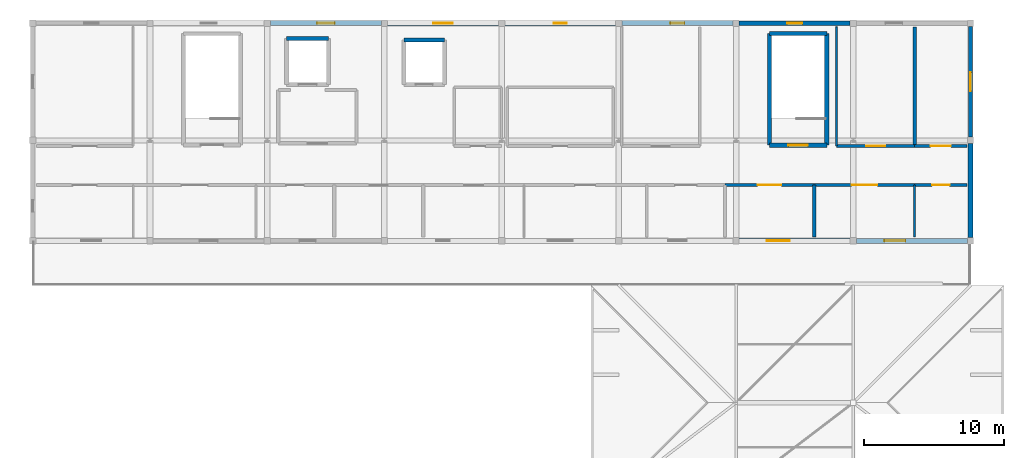
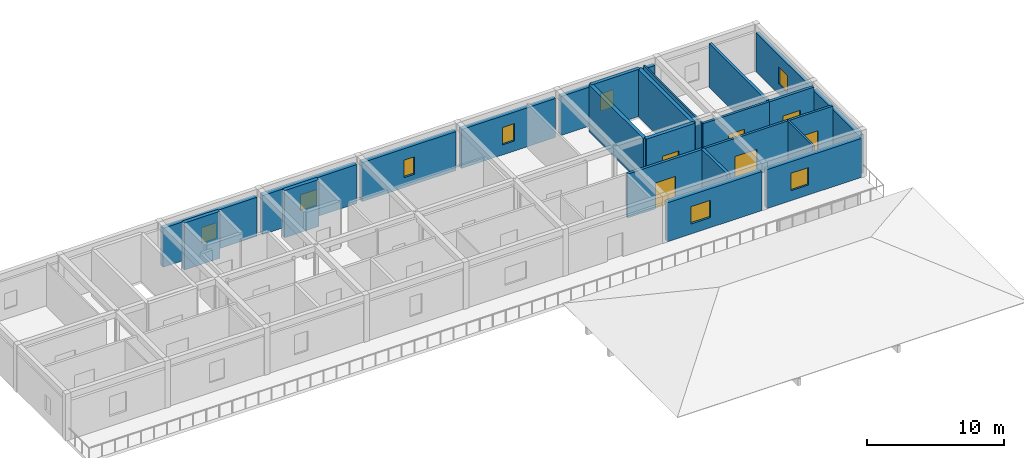
# One storey, part 19 of 22: 24 walls, 8 windows, 6 doors, 14 openings.
"""IFC4 building model written with IfcOpenShell, lengths in metres."""

from ifc_helpers import new_model, si_unit, direction, frame, frame_2d, origin, place, context, subcontext, project, spatial, rectangle, extrude, material, layer, layer_set, type_object, element, fill, save


model = new_model("IFC4")

# Units and contexts
model_context = context("Model", 3, precision=1e-05, world=origin(), true_north=direction((0.0, 1.0)))
body_context = subcontext(model_context, "Body", "Model", "MODEL_VIEW")
ifc_project = project(units=[si_unit("LENGTHUNIT", "METRE"), si_unit("AREAUNIT", "SQUARE_METRE"), si_unit("VOLUMEUNIT", "CUBIC_METRE"), si_unit("PLANEANGLEUNIT", "RADIAN"), si_unit("MASSUNIT", "GRAM", prefix="KILO")], contexts=[model_context])

# Site, building, storey
site_placement = place(None, origin())
site = spatial("IfcSite", under=ifc_project, at=site_placement, CompositionType="ELEMENT")
building_placement = place(site_placement, origin())
building = spatial("IfcBuilding", under=site, at=building_placement, Name="Varncliffe General Hospital", CompositionType="ELEMENT")
storey_placement = place(building_placement, frame((0.0, 0.0, 33.0)))
storey = spatial("IfcBuildingStorey", under=building, at=storey_placement, Name="L07", CompositionType="ELEMENT", Elevation=33.0)

# Wall, opening, window
ifc_material_1 = material(Name="Precast concrete C40/50 with insulated cream lime-cement stucco", Category="concrete")
ifc_layer_1 = layer(ifc_material_1, 0.3798828125)
ifc_layer_set_1 = layer_set([ifc_layer_1], Name="Precast concrete C40/50 with insulated cream lime-cement stucco")
wall_type_1 = type_object("IfcWallType", Name="Exterior Insulated Stucco Wall EW26 (380mm)", PredefinedType="SOLIDWALL", material=ifc_layer_set_1)
wall_1_placement = place(storey_placement, frame((143.02294921875, 124.800048828125, 0.0), z_axis=(0.0, 0.0, 1.0), x_axis=(1.0, 0.0, 0.0)))
wall_1 = element("IfcWall", 1, at=wall_1_placement, inside=storey, type_object=wall_type_1, Name="L07 Exterior Stucco Wall EW26-563", PredefinedType="SOLIDWALL", context=body_context, shape_type="SweptSolid", body=[
    extrude(rectangle(XDim=7.9541015625, YDim=0.3798828125, at=frame_2d((3.97705078125, 0.0))), origin(), (0.0, 0.0, 1.0), 3.47998046875),
])
opening_1_placement = place(wall_1_placement, frame((3.527099609375, 0.0, 0.89990234375)))
opening_1 = element("IfcOpeningElement", 2, at=opening_1_placement, cuts=wall_1, Name="Opening WN45", PredefinedType="OPENING", context=body_context, shape_type="SweptSolid", body=[
    extrude(rectangle(XDim=0.89990234375, YDim=1.550048828125, at=frame_2d((0.449951171875, 0.77490234375))), frame((0.0, 0.199951171875, 0.0), z_axis=(0.0, -1.0, 0.0), x_axis=(1.0, 0.0, 0.0)), (0.0, 0.0, 1.0), 0.39990234375),
])
ifc_material_2 = material(Name="Triple low-E argon insulated vision glazing", Category="glass")
window_type_1 = type_object("IfcWindowType", Name="Triple-Glazed Hospital Window WN45 (900x1550)", PartitioningType="SINGLE_PANEL", PredefinedType="WINDOW", material=ifc_material_2)
window_1_placement = place(opening_1_placement, origin())
window_1 = element("IfcWindow", 3, at=window_1_placement, inside=storey, type_object=window_type_1, Name="L07 Hospital Window WN45-447", OverallHeight=1.550048828125, OverallWidth=0.89990234375, PartitioningType="SINGLE_PANEL", PredefinedType="WINDOW", context=body_context, shape_type="SweptSolid", body=[
    extrude(rectangle(XDim=0.89990234375, YDim=1.550048828125, at=frame_2d((0.449951171875, 0.77490234375))), frame((0.0, 0.030029296875, 0.0), z_axis=(0.0, -1.0, 0.0), x_axis=(1.0, 0.0, 0.0)), (0.0, 0.0, 1.0), 0.06005859375),
])
fill(opening_1, window_1)

# Wall
wall_2_placement = place(storey_placement, frame((176.39990234375, 116.177001953125, 0.0), z_axis=(0.0, 0.0, 1.0), x_axis=(0.0, -1.0, 0.0)))
element("IfcWall", 4, at=wall_2_placement, inside=storey, type_object=wall_type_1, Name="L07 Exterior Stucco Wall EW26-568", PredefinedType="SOLIDWALL", context=body_context, shape_type="SweptSolid", body=[
    extrude(rectangle(XDim=6.75390625, YDim=0.3798828125, at=frame_2d((3.376953125, 0.0))), origin(), (0.0, 0.0, 1.0), 3.47998046875),
])

# Wall, opening, window
ifc_layer_2 = layer(ifc_material_1, 0.2900390625)
ifc_layer_set_2 = layer_set([ifc_layer_2], Name="Precast concrete C40/50 with insulated cream lime-cement stucco")
wall_type_2 = type_object("IfcWallType", Name="Exterior Insulated Stucco Wall EW31 (290mm)", PredefinedType="SOLIDWALL", material=ifc_layer_set_2)
wall_3_placement = place(storey_placement, frame((176.39990234375, 124.576904296875, 0.0), z_axis=(0.0, 0.0, 1.0), x_axis=(0.0, -1.0, 0.0)))
wall_3 = element("IfcWall", 5, at=wall_3_placement, inside=storey, type_object=wall_type_2, Name="L07 Exterior Stucco Wall EW31-567", PredefinedType="SOLIDWALL", context=body_context, shape_type="SweptSolid", body=[
    extrude(rectangle(XDim=7.953857421875, YDim=0.2900390625, at=frame_2d((3.97705078125, 0.0))), origin(), (0.0, 0.0, 1.0), 3.47998046875),
])
opening_2_placement = place(wall_3_placement, frame((3.302001953125, 0.0, 0.89990234375)))
opening_2 = element("IfcOpeningElement", 6, at=opening_2_placement, cuts=wall_3, Name="Opening WN24", PredefinedType="OPENING", context=body_context, shape_type="SweptSolid", body=[
    extrude(rectangle(XDim=1.35009765625, YDim=1.550048828125, at=frame_2d((0.675048828125, 0.77490234375))), frame((0.0, 0.155029296875, 0.0), z_axis=(0.0, -1.0, 0.0), x_axis=(1.0, 0.0, 0.0)), (0.0, 0.0, 1.0), 0.31005859375),
])
window_type_2 = type_object("IfcWindowType", Name="Triple-Glazed Hospital Window WN24 (1350x1550)", PartitioningType="SINGLE_PANEL", PredefinedType="WINDOW", material=ifc_material_2)
window_2_placement = place(opening_2_placement, origin())
window_2 = element("IfcWindow", 7, at=window_2_placement, inside=storey, type_object=window_type_2, Name="L07 Hospital Window WN24-451", OverallHeight=1.550048828125, OverallWidth=1.35009765625, PartitioningType="SINGLE_PANEL", PredefinedType="WINDOW", context=body_context, shape_type="SweptSolid", body=[
    extrude(rectangle(XDim=1.35009765625, YDim=1.550048828125, at=frame_2d((0.675048828125, 0.77490234375))), frame((0.0, 0.030029296875, 0.0), z_axis=(0.0, -1.0, 0.0), x_axis=(1.0, 0.0, 0.0)), (0.0, 0.0, 1.0), 0.06005859375),
])
fill(opening_2, window_2)

ifc_layer_3 = layer(ifc_material_1, 0.330078125)
ifc_layer_set_3 = layer_set([ifc_layer_3], Name="Precast concrete C40/50 with insulated cream lime-cement stucco")
wall_type_3 = type_object("IfcWallType", Name="Exterior Insulated Stucco Wall EW33 (330mm)", PredefinedType="SOLIDWALL", material=ifc_layer_set_3)
wall_4_placement = place(storey_placement, frame((159.822998046875, 124.800048828125, 0.0), z_axis=(0.0, 0.0, 1.0), x_axis=(1.0, 0.0, 0.0)))
wall_4 = element("IfcWall", 8, at=wall_4_placement, inside=storey, type_object=wall_type_3, Name="L07 Exterior Stucco Wall EW33-565", PredefinedType="SOLIDWALL", context=body_context, shape_type="SweptSolid", body=[
    extrude(rectangle(XDim=7.9541015625, YDim=0.330078125, at=frame_2d((3.97705078125, 0.0))), origin(), (0.0, 0.0, 1.0), 3.47998046875),
])
opening_3_placement = place(wall_4_placement, frame((3.427001953125, 0.0, 0.89990234375)))
opening_3 = element("IfcOpeningElement", 9, at=opening_3_placement, cuts=wall_4, Name="Opening WN69", PredefinedType="OPENING", context=body_context, shape_type="SweptSolid", body=[
    extrude(rectangle(XDim=1.10009765625, YDim=1.550048828125, at=frame_2d((0.550048828125, 0.77490234375))), frame((0.0, 0.175048828125, 0.0), z_axis=(0.0, -1.0, 0.0), x_axis=(1.0, 0.0, 0.0)), (0.0, 0.0, 1.0), 0.35009765625),
])
window_type_3 = type_object("IfcWindowType", Name="Triple-Glazed Hospital Window WN69 (1100x1550)", PartitioningType="SINGLE_PANEL", PredefinedType="WINDOW", material=ifc_material_2)
window_3_placement = place(opening_3_placement, origin())
window_3 = element("IfcWindow", 10, at=window_3_placement, inside=storey, type_object=window_type_3, Name="L07 Hospital Window WN69-449", OverallHeight=1.550048828125, OverallWidth=1.10009765625, PartitioningType="SINGLE_PANEL", PredefinedType="WINDOW", context=body_context, shape_type="SweptSolid", body=[
    extrude(rectangle(XDim=1.10009765625, YDim=1.550048828125, at=frame_2d((0.550048828125, 0.77490234375))), frame((0.0, 0.030029296875, 0.0), z_axis=(0.0, -1.0, 0.0), x_axis=(1.0, 0.0, 0.0)), (0.0, 0.0, 1.0), 0.06005859375),
])
fill(opening_3, window_3)

ifc_layer_4 = layer(ifc_material_1, 0.35009765625)
ifc_layer_set_4 = layer_set([ifc_layer_4], Name="Precast concrete C40/50 with insulated cream lime-cement stucco")
wall_type_4 = type_object("IfcWallType", Name="Exterior Insulated Stucco Wall EW37 (350mm)", PredefinedType="SOLIDWALL", material=ifc_layer_set_4)
wall_5_placement = place(storey_placement, frame((126.222900390625, 124.800048828125, 0.0), z_axis=(0.0, 0.0, 1.0), x_axis=(1.0, 0.0, 0.0)))
wall_5 = element("IfcWall", 11, at=wall_5_placement, inside=storey, type_object=wall_type_4, Name="L07 Exterior Stucco Wall EW37-561", PredefinedType="SOLIDWALL", context=body_context, shape_type="SweptSolid", body=[
    extrude(rectangle(XDim=7.9541015625, YDim=0.35009765625, at=frame_2d((3.97705078125, 0.0))), origin(), (0.0, 0.0, 1.0), 3.47998046875),
])
opening_4_placement = place(wall_5_placement, frame((3.35205078125, 0.0, 0.89990234375)))
opening_4 = element("IfcOpeningElement", 12, at=opening_4_placement, cuts=wall_5, Name="Opening WN43", PredefinedType="OPENING", context=body_context, shape_type="SweptSolid", body=[
    extrude(rectangle(XDim=1.25, YDim=1.39990234375, at=frame_2d((0.625, 0.699951171875))), frame((0.0, 0.18505859375, 0.0), z_axis=(0.0, -1.0, 0.0), x_axis=(1.0, 0.0, 0.0)), (0.0, 0.0, 1.0), 0.3701171875),
])
window_type_4 = type_object("IfcWindowType", Name="Triple-Glazed Hospital Window WN43 (1250x1400)", PartitioningType="SINGLE_PANEL", PredefinedType="WINDOW", material=ifc_material_2)
window_4_placement = place(opening_4_placement, origin())
window_4 = element("IfcWindow", 13, at=window_4_placement, inside=storey, type_object=window_type_4, Name="L07 Hospital Window WN43-445", OverallHeight=1.39990234375, OverallWidth=1.25, PartitioningType="SINGLE_PANEL", PredefinedType="WINDOW", context=body_context, shape_type="SweptSolid", body=[
    extrude(rectangle(XDim=1.25, YDim=1.39990234375, at=frame_2d((0.625, 0.699951171875))), frame((0.0, 0.030029296875, 0.0), z_axis=(0.0, -1.0, 0.0), x_axis=(1.0, 0.0, 0.0)), (0.0, 0.0, 1.0), 0.06005859375),
])
fill(opening_4, window_4)

wall_6_placement = place(storey_placement, frame((151.423095703125, 124.800048828125, 0.0), z_axis=(0.0, 0.0, 1.0), x_axis=(1.0, 0.0, 0.0)))
wall_6 = element("IfcWall", 14, at=wall_6_placement, inside=storey, type_object=wall_type_4, Name="L07 Exterior Stucco Wall EW37-564", PredefinedType="SOLIDWALL", context=body_context, shape_type="SweptSolid", body=[
    extrude(rectangle(XDim=7.953857421875, YDim=0.35009765625, at=frame_2d((3.97705078125, 0.0))), origin(), (0.0, 0.0, 1.0), 3.47998046875),
])
opening_5_placement = place(wall_6_placement, frame((3.47705078125, 0.0, 0.89990234375)))
opening_5 = element("IfcOpeningElement", 15, at=opening_5_placement, cuts=wall_6, Name="Opening WN21", PredefinedType="OPENING", context=body_context, shape_type="SweptSolid", body=[
    extrude(rectangle(XDim=1.0, YDim=1.550048828125, at=frame_2d((0.5, 0.77490234375))), frame((0.0, 0.18505859375, 0.0), z_axis=(0.0, -1.0, 0.0), x_axis=(1.0, 0.0, 0.0)), (0.0, 0.0, 1.0), 0.3701171875),
])
window_type_5 = type_object("IfcWindowType", Name="Triple-Glazed Hospital Window WN21 (1000x1550)", PartitioningType="SINGLE_PANEL", PredefinedType="WINDOW", material=ifc_material_2)
window_5_placement = place(opening_5_placement, origin())
window_5 = element("IfcWindow", 16, at=window_5_placement, inside=storey, type_object=window_type_5, Name="L07 Hospital Window WN21-448", OverallHeight=1.550048828125, OverallWidth=1.0, PartitioningType="SINGLE_PANEL", PredefinedType="WINDOW", context=body_context, shape_type="SweptSolid", body=[
    extrude(rectangle(XDim=1.0, YDim=1.550048828125, at=frame_2d((0.5, 0.77490234375))), frame((0.0, 0.030029296875, 0.0), z_axis=(0.0, -1.0, 0.0), x_axis=(1.0, 0.0, 0.0)), (0.0, 0.0, 1.0), 0.06005859375),
])
fill(opening_5, window_5)

wall_7_placement = place(storey_placement, frame((176.177001953125, 109.199951171875, 0.0), z_axis=(0.0, 0.0, 1.0), x_axis=(-1.0, 0.0, 0.0)))
wall_7 = element("IfcWall", 17, at=wall_7_placement, inside=storey, type_object=wall_type_4, Name="L07 Exterior Stucco Wall EW37-569", PredefinedType="SOLIDWALL", context=body_context, shape_type="SweptSolid", body=[
    extrude(rectangle(XDim=7.9541015625, YDim=0.35009765625, at=frame_2d((3.97705078125, 0.0))), origin(), (0.0, 0.0, 1.0), 3.47998046875),
])
opening_6_placement = place(wall_7_placement, frame((4.448974609375, 0.0, 0.89990234375)))
opening_6 = element("IfcOpeningElement", 18, at=opening_6_placement, cuts=wall_7, Name="Opening WN75", PredefinedType="OPENING", context=body_context, shape_type="SweptSolid", body=[
    extrude(rectangle(XDim=1.5, YDim=1.550048828125, at=frame_2d((0.75, 0.77490234375))), frame((0.0, 0.18505859375, 0.0), z_axis=(0.0, -1.0, 0.0), x_axis=(1.0, 0.0, 0.0)), (0.0, 0.0, 1.0), 0.3701171875),
])
window_type_6 = type_object("IfcWindowType", Name="Triple-Glazed Hospital Window WN75 (1500x1550)", PartitioningType="SINGLE_PANEL", PredefinedType="WINDOW", material=ifc_material_2)
window_6_placement = place(opening_6_placement, origin())
window_6 = element("IfcWindow", 19, at=window_6_placement, inside=storey, type_object=window_type_6, Name="L07 Hospital Window WN75-452", OverallHeight=1.550048828125, OverallWidth=1.5, PartitioningType="SINGLE_PANEL", PredefinedType="WINDOW", context=body_context, shape_type="SweptSolid", body=[
    extrude(rectangle(XDim=1.5, YDim=1.550048828125, at=frame_2d((0.75, 0.77490234375))), frame((0.0, 0.030029296875, 0.0), z_axis=(0.0, -1.0, 0.0), x_axis=(1.0, 0.0, 0.0)), (0.0, 0.0, 1.0), 0.06005859375),
])
fill(opening_6, window_6)

ifc_layer_5 = layer(ifc_material_1, 0.39990234375)
ifc_layer_set_5 = layer_set([ifc_layer_5], Name="Precast concrete C40/50 with insulated cream lime-cement stucco")
wall_type_5 = type_object("IfcWallType", Name="Exterior Insulated Stucco Wall EW47 (400mm)", PredefinedType="SOLIDWALL", material=ifc_layer_set_5)
wall_8_placement = place(storey_placement, frame((134.623046875, 124.800048828125, 0.0), z_axis=(0.0, 0.0, 1.0), x_axis=(1.0, 0.0, 0.0)))
wall_8 = element("IfcWall", 20, at=wall_8_placement, inside=storey, type_object=wall_type_5, Name="L07 Exterior Stucco Wall EW47-562", PredefinedType="SOLIDWALL", context=body_context, shape_type="SweptSolid", body=[
    extrude(rectangle(XDim=7.953857421875, YDim=0.39990234375, at=frame_2d((3.97705078125, 0.0))), origin(), (0.0, 0.0, 1.0), 3.47998046875),
])
opening_7_placement = place(wall_8_placement, frame((3.277099609375, 0.0, 0.89990234375)))
opening_7 = element("IfcOpeningElement", 21, at=opening_7_placement, cuts=wall_8, Name="Opening WN76", PredefinedType="OPENING", context=body_context, shape_type="SweptSolid", body=[
    extrude(rectangle(XDim=1.39990234375, YDim=1.39990234375, at=frame_2d((0.699951171875, 0.699951171875))), frame((0.0, 0.2099609375, 0.0), z_axis=(0.0, -1.0, 0.0), x_axis=(1.0, 0.0, 0.0)), (0.0, 0.0, 1.0), 0.419921875),
])
window_type_7 = type_object("IfcWindowType", Name="Triple-Glazed Hospital Window WN76 (1400x1400)", PartitioningType="SINGLE_PANEL", PredefinedType="WINDOW", material=ifc_material_2)
window_7_placement = place(opening_7_placement, origin())
window_7 = element("IfcWindow", 22, at=window_7_placement, inside=storey, type_object=window_type_7, Name="L07 Hospital Window WN76-446", OverallHeight=1.39990234375, OverallWidth=1.39990234375, PartitioningType="SINGLE_PANEL", PredefinedType="WINDOW", context=body_context, shape_type="SweptSolid", body=[
    extrude(rectangle(XDim=1.39990234375, YDim=1.39990234375, at=frame_2d((0.699951171875, 0.699951171875))), frame((0.0, 0.030029296875, 0.0), z_axis=(0.0, -1.0, 0.0), x_axis=(1.0, 0.0, 0.0)), (0.0, 0.0, 1.0), 0.06005859375),
])
fill(opening_7, window_7)

wall_9_placement = place(storey_placement, frame((167.777099609375, 109.199951171875, 0.0), z_axis=(0.0, 0.0, 1.0), x_axis=(-1.0, 0.0, 0.0)))
wall_9 = element("IfcWall", 23, at=wall_9_placement, inside=storey, type_object=wall_type_5, Name="L07 Exterior Stucco Wall EW47-570", PredefinedType="SOLIDWALL", context=body_context, shape_type="SweptSolid", body=[
    extrude(rectangle(XDim=7.9541015625, YDim=0.39990234375, at=frame_2d((3.97705078125, 0.0))), origin(), (0.0, 0.0, 1.0), 3.47998046875),
])
opening_8_placement = place(wall_9_placement, frame((4.3408203125, 0.0, 0.89990234375)))
opening_8 = element("IfcOpeningElement", 24, at=opening_8_placement, cuts=wall_9, Name="Opening WN20", PredefinedType="OPENING", context=body_context, shape_type="SweptSolid", body=[
    extrude(rectangle(XDim=1.64990234375, YDim=1.550048828125, at=frame_2d((0.824951171875, 0.77490234375))), frame((0.0, 0.2099609375, 0.0), z_axis=(0.0, -1.0, 0.0), x_axis=(1.0, 0.0, 0.0)), (0.0, 0.0, 1.0), 0.419921875),
])
window_type_8 = type_object("IfcWindowType", Name="Triple-Glazed Hospital Window WN20 (1650x1550)", PartitioningType="DOUBLE_PANEL_VERTICAL", PredefinedType="WINDOW", material=ifc_material_2)
window_8_placement = place(opening_8_placement, origin())
window_8 = element("IfcWindow", 25, at=window_8_placement, inside=storey, type_object=window_type_8, Name="L07 Hospital Window WN20-453", OverallHeight=1.550048828125, OverallWidth=1.64990234375, PartitioningType="DOUBLE_PANEL_VERTICAL", PredefinedType="WINDOW", context=body_context, shape_type="SweptSolid", body=[
    extrude(rectangle(XDim=1.64990234375, YDim=1.550048828125, at=frame_2d((0.824951171875, 0.77490234375))), frame((0.0, 0.030029296875, 0.0), z_axis=(0.0, -1.0, 0.0), x_axis=(1.0, 0.0, 0.0)), (0.0, 0.0, 1.0), 0.06005859375),
])
fill(opening_8, window_8)

# Walls
ifc_material_3 = material(Name="Acoustic clinical gypsum stud partition assembly", Category="gypsum")
ifc_layer_6 = layer(ifc_material_3, 0.1298828125)
ifc_layer_set_6 = layer_set([ifc_layer_6], Name="Acoustic clinical gypsum stud partition assembly")
wall_type_6 = type_object("IfcWallType", Name="Interior Partitioning IW11 (130mm)", PredefinedType="PARTITIONING", material=ifc_layer_set_6)
wall_10_placement = place(storey_placement, frame((166.800048828125, 116.0, 0.0), z_axis=(0.0, 0.0, 1.0), x_axis=(0.0, 1.0, 0.0)))
element("IfcWall", 26, at=wall_10_placement, inside=storey, type_object=wall_type_6, Name="L07 Interior Partition Wall IW11-2408", PredefinedType="PARTITIONING", context=body_context, shape_type="SweptSolid", body=[
    extrude(rectangle(XDim=8.5400390625, YDim=0.1298828125, at=frame_2d((4.27001953125, 0.0))), origin(), (0.0, 0.0, 1.0), 3.919921875),
])
ifc_layer_7 = layer(ifc_material_3, 0.14990234375)
ifc_layer_set_7 = layer_set([ifc_layer_7], Name="Acoustic clinical gypsum stud partition assembly")
wall_type_7 = type_object("IfcWallType", Name="Interior Partitioning IW35 (150mm)", PredefinedType="PARTITIONING", material=ifc_layer_set_7)
wall_11_placement = place(storey_placement, frame((172.39990234375, 109.4599609375, 0.0), z_axis=(0.0, 0.0, 1.0), x_axis=(0.0, 1.0, 0.0)))
element("IfcWall", 27, at=wall_11_placement, inside=storey, type_object=wall_type_7, Name="L07 Interior Partition Wall IW35-2409", PredefinedType="PARTITIONING", context=body_context, shape_type="SweptSolid", body=[
    extrude(rectangle(XDim=3.739990234375, YDim=0.14990234375, at=frame_2d((1.8701171875, 0.0))), origin(), (0.0, 0.0, 1.0), 3.919921875),
])
ifc_material_4 = material(Name="Fire-rated gypsum and mineral-wool partition assembly", Category="gypsum")
ifc_layer_8 = layer(ifc_material_4, 0.25)
ifc_layer_set_8 = layer_set([ifc_layer_8], Name="Fire-rated gypsum and mineral-wool partition assembly")
wall_type_8 = type_object("IfcWallType", Name="Interior Partitioning PW38 (250mm)", PredefinedType="PARTITIONING", material=ifc_layer_set_8)
wall_12_placement = place(storey_placement, frame((165.199951171875, 109.4599609375, 0.0), z_axis=(0.0, 0.0, 1.0), x_axis=(0.0, 1.0, 0.0)))
element("IfcWall", 28, at=wall_12_placement, inside=storey, type_object=wall_type_8, Name="L07 Interior Partition Wall PW38-2407", PredefinedType="PARTITIONING", context=body_context, shape_type="SweptSolid", body=[
    extrude(rectangle(XDim=3.739990234375, YDim=0.25, at=frame_2d((1.8701171875, 0.0))), origin(), (0.0, 0.0, 1.0), 3.919921875),
])

# Wall, opening, door
ifc_layer_9 = layer(ifc_material_4, 0.22998046875)
ifc_layer_set_9 = layer_set([ifc_layer_9], Name="Fire-rated gypsum and mineral-wool partition assembly")
wall_type_9 = type_object("IfcWallType", Name="Interior Partitioning PW48 (230mm)", PredefinedType="PARTITIONING", material=ifc_layer_set_9)
wall_13_placement = place(storey_placement, frame((158.800048828125, 113.199951171875, 0.0), z_axis=(0.0, 0.0, 1.0), x_axis=(1.0, 0.0, 0.0)))
wall_13 = element("IfcWall", 29, at=wall_13_placement, inside=storey, type_object=wall_type_9, Name="L07 Interior Partition Wall PW48-2346", PredefinedType="PARTITIONING", context=body_context, shape_type="SweptSolid", body=[
    extrude(rectangle(XDim=6.39990234375, YDim=0.22998046875, at=frame_2d((3.199951171875, 0.0))), origin(), (0.0, 0.0, 1.0), 3.919921875),
])
opening_9_placement = place(wall_13_placement, frame((2.35009765625, 0.0, 0.0)))
opening_9 = element("IfcOpeningElement", 30, at=opening_9_placement, cuts=wall_13, Name="Opening DC50", PredefinedType="OPENING", context=body_context, shape_type="SweptSolid", body=[
    extrude(rectangle(XDim=1.699951171875, YDim=2.300048828125, at=frame_2d((0.85009765625, 1.14990234375))), frame((0.0, 0.125, 0.0), z_axis=(0.0, -1.0, 0.0), x_axis=(1.0, 0.0, 0.0)), (0.0, 0.0, 1.0), 0.25),
])
ifc_material_5 = material(Name="Fire-rated hospital steel-frame vision-panel door", Category="steel")
door_type_1 = type_object("IfcDoorType", Name="Interior Hospital Door DC50 (1700x2300)", OperationType="NOTDEFINED", PredefinedType="DOOR", material=ifc_material_5)
door_1_placement = place(opening_9_placement, frame((1.699951171875, 0.0, 0.0), z_axis=(0.0, 0.0, 1.0), x_axis=(-1.0, 0.0, 0.0)))
door_1 = element("IfcDoor", 31, at=door_1_placement, inside=storey, type_object=door_type_1, Name="L07 Crown Wing Mechanical Plant Room 34 Door", OperationType="SINGLE_SWING_RIGHT", OverallHeight=2.300048828125, OverallWidth=1.699951171875, PredefinedType="DOOR", context=body_context, shape_type="SweptSolid", body=[
    extrude(rectangle(XDim=1.699951171875, YDim=2.300048828125, at=frame_2d((0.85009765625, 1.14990234375))), frame((0.0, 0.02490234375, 0.0), z_axis=(0.0, -1.0, 0.0), x_axis=(1.0, 0.0, 0.0)), (0.0, 0.0, 1.0), 0.050048828125),
])
fill(opening_9, door_1)

wall_14_placement = place(storey_placement, frame((172.39990234375, 116.0, 0.0), z_axis=(0.0, 0.0, 1.0), x_axis=(1.0, 0.0, 0.0)))
wall_14 = element("IfcWall", 32, at=wall_14_placement, inside=storey, type_object=wall_type_9, Name="L07 Interior Partition Wall PW48-2358", PredefinedType="PARTITIONING", context=body_context, shape_type="SweptSolid", body=[
    extrude(rectangle(XDim=3.739990234375, YDim=0.22998046875, at=frame_2d((1.8701171875, 0.0))), origin(), (0.0, 0.0, 1.0), 3.919921875),
])
opening_10_placement = place(wall_14_placement, frame((1.14501953125, 0.0, 0.0)))
opening_10 = element("IfcOpeningElement", 33, at=opening_10_placement, cuts=wall_14, Name="Opening DC66", PredefinedType="OPENING", context=body_context, shape_type="SweptSolid", body=[
    extrude(rectangle(XDim=1.449951171875, YDim=2.25, at=frame_2d((0.72509765625, 1.125))), frame((0.0, 0.125, 0.0), z_axis=(0.0, -1.0, 0.0), x_axis=(1.0, 0.0, 0.0)), (0.0, 0.0, 1.0), 0.25),
])
door_type_2 = type_object("IfcDoorType", Name="Interior Hospital Door DC66 (1450x2250)", OperationType="NOTDEFINED", PredefinedType="DOOR", material=ifc_material_5)
door_2_placement = place(opening_10_placement, origin())
door_2 = element("IfcDoor", 34, at=door_2_placement, inside=storey, type_object=door_type_2, Name="L07 Crown Wing Mechanical Plant Room 42 Door", OperationType="SINGLE_SWING_RIGHT", OverallHeight=2.25, OverallWidth=1.449951171875, PredefinedType="DOOR", context=body_context, shape_type="SweptSolid", body=[
    extrude(rectangle(XDim=1.449951171875, YDim=2.25, at=frame_2d((0.72509765625, 1.125))), frame((0.0, 0.02490234375, 0.0), z_axis=(0.0, -1.0, 0.0), x_axis=(1.0, 0.0, 0.0)), (0.0, 0.0, 1.0), 0.050048828125),
])
fill(opening_10, door_2)

# Wall
wall_15_placement = place(storey_placement, frame((172.39990234375, 116.0, 0.0), z_axis=(0.0, 0.0, 1.0), x_axis=(0.0, 1.0, 0.0)))
element("IfcWall", 35, at=wall_15_placement, inside=storey, type_object=wall_type_9, Name="L07 Interior Partition Wall PW48-2410", PredefinedType="PARTITIONING", context=body_context, shape_type="SweptSolid", body=[
    extrude(rectangle(XDim=8.5400390625, YDim=0.22998046875, at=frame_2d((4.27001953125, 0.0))), origin(), (0.0, 0.0, 1.0), 3.919921875),
])

# Wall, opening, door
ifc_layer_10 = layer(ifc_material_4, 0.199951171875)
ifc_layer_set_10 = layer_set([ifc_layer_10], Name="Fire-rated gypsum and mineral-wool partition assembly")
wall_type_10 = type_object("IfcWallType", Name="Interior Partitioning PW63 (200mm)", PredefinedType="PARTITIONING", material=ifc_layer_set_10)
wall_16_placement = place(storey_placement, frame((165.199951171875, 113.199951171875, 0.0), z_axis=(0.0, 0.0, 1.0), x_axis=(1.0, 0.0, 0.0)))
wall_16 = element("IfcWall", 36, at=wall_16_placement, inside=storey, type_object=wall_type_10, Name="L07 Interior Partition Wall PW63-2347", PredefinedType="PARTITIONING", context=body_context, shape_type="SweptSolid", body=[
    extrude(rectangle(XDim=7.199951171875, YDim=0.199951171875, at=frame_2d((3.60009765625, 0.0))), origin(), (0.0, 0.0, 1.0), 3.919921875),
])
opening_11_placement = place(wall_16_placement, frame((2.675048828125, 0.0, 0.0)))
opening_11 = element("IfcOpeningElement", 37, at=opening_11_placement, cuts=wall_16, Name="Opening DC38", PredefinedType="OPENING", context=body_context, shape_type="SweptSolid", body=[
    extrude(rectangle(XDim=1.85009765625, YDim=2.300048828125, at=frame_2d((0.925048828125, 1.14990234375))), frame((0.0, 0.10986328125, 0.0), z_axis=(0.0, -1.0, 0.0), x_axis=(1.0, 0.0, 0.0)), (0.0, 0.0, 1.0), 0.219970703125),
])
door_type_3 = type_object("IfcDoorType", Name="Interior Hospital Door DC38 (1850x2300)", OperationType="NOTDEFINED", PredefinedType="DOOR", material=ifc_material_5)
door_3_placement = place(opening_11_placement, frame((1.85009765625, 0.0, 0.0), z_axis=(0.0, 0.0, 1.0), x_axis=(-1.0, 0.0, 0.0)))
door_3 = element("IfcDoor", 38, at=door_3_placement, inside=storey, type_object=door_type_3, Name="L07 Adolescent Inpatient Suite 35 Door", OperationType="SINGLE_SWING_LEFT", OverallHeight=2.300048828125, OverallWidth=1.85009765625, PredefinedType="DOOR", context=body_context, shape_type="SweptSolid", body=[
    extrude(rectangle(XDim=1.85009765625, YDim=2.300048828125, at=frame_2d((0.925048828125, 1.14990234375))), frame((0.0, 0.02490234375, 0.0), z_axis=(0.0, -1.0, 0.0), x_axis=(1.0, 0.0, 0.0)), (0.0, 0.0, 1.0), 0.050048828125),
])
fill(opening_11, door_3)

wall_17_placement = place(storey_placement, frame((172.39990234375, 113.199951171875, 0.0), z_axis=(0.0, 0.0, 1.0), x_axis=(1.0, 0.0, 0.0)))
wall_17 = element("IfcWall", 39, at=wall_17_placement, inside=storey, type_object=wall_type_10, Name="L07 Interior Partition Wall PW63-2348", PredefinedType="PARTITIONING", context=body_context, shape_type="SweptSolid", body=[
    extrude(rectangle(XDim=3.739990234375, YDim=0.199951171875, at=frame_2d((1.8701171875, 0.0))), origin(), (0.0, 0.0, 1.0), 3.919921875),
])
opening_12_placement = place(wall_17_placement, frame((1.2451171875, 0.0, 0.0)))
opening_12 = element("IfcOpeningElement", 40, at=opening_12_placement, cuts=wall_17, Name="Opening DC44", PredefinedType="OPENING", context=body_context, shape_type="SweptSolid", body=[
    extrude(rectangle(XDim=1.25, YDim=2.14990234375, at=frame_2d((0.625, 1.074951171875))), frame((0.0, 0.10986328125, 0.0), z_axis=(0.0, -1.0, 0.0), x_axis=(1.0, 0.0, 0.0)), (0.0, 0.0, 1.0), 0.219970703125),
])
door_type_4 = type_object("IfcDoorType", Name="Interior Hospital Door DC44 (1250x2150)", OperationType="NOTDEFINED", PredefinedType="DOOR", material=ifc_material_5)
door_4_placement = place(opening_12_placement, frame((1.25, 0.0, 0.0), z_axis=(0.0, 0.0, 1.0), x_axis=(-1.0, 0.0, 0.0)))
door_4 = element("IfcDoor", 41, at=door_4_placement, inside=storey, type_object=door_type_4, Name="L07 Patient Healing Solarium 36 Door", OperationType="SINGLE_SWING_RIGHT", OverallHeight=2.14990234375, OverallWidth=1.25, PredefinedType="DOOR", context=body_context, shape_type="SweptSolid", body=[
    extrude(rectangle(XDim=1.25, YDim=2.14990234375, at=frame_2d((0.625, 1.074951171875))), frame((0.0, 0.02490234375, 0.0), z_axis=(0.0, -1.0, 0.0), x_axis=(1.0, 0.0, 0.0)), (0.0, 0.0, 1.0), 0.050048828125),
])
fill(opening_12, door_4)

wall_18_placement = place(storey_placement, frame((166.800048828125, 116.0, 0.0), z_axis=(0.0, 0.0, 1.0), x_axis=(1.0, 0.0, 0.0)))
wall_18 = element("IfcWall", 42, at=wall_18_placement, inside=storey, type_object=wall_type_10, Name="L07 Interior Partition Wall PW63-2357", PredefinedType="PARTITIONING", context=body_context, shape_type="SweptSolid", body=[
    extrude(rectangle(XDim=5.599853515625, YDim=0.199951171875, at=frame_2d((2.7998046875, 0.0))), origin(), (0.0, 0.0, 1.0), 3.919921875),
])
opening_13_placement = place(wall_18_placement, frame((2.125, 0.0, 0.0)))
opening_13 = element("IfcOpeningElement", 43, at=opening_13_placement, cuts=wall_18, Name="Opening DC85", PredefinedType="OPENING", context=body_context, shape_type="SweptSolid", body=[
    extrude(rectangle(XDim=1.35009765625, YDim=2.199951171875, at=frame_2d((0.675048828125, 1.10009765625))), frame((0.0, 0.10986328125, 0.0), z_axis=(0.0, -1.0, 0.0), x_axis=(1.0, 0.0, 0.0)), (0.0, 0.0, 1.0), 0.219970703125),
])
door_type_5 = type_object("IfcDoorType", Name="Interior Hospital Door DC85 (1350x2200)", OperationType="NOTDEFINED", PredefinedType="DOOR", material=ifc_material_5)
door_5_placement = place(opening_13_placement, origin())
door_5 = element("IfcDoor", 44, at=door_5_placement, inside=storey, type_object=door_type_5, Name="L07 On-Call Physician Duty Room 41 Door", OperationType="SINGLE_SWING_LEFT", OverallHeight=2.199951171875, OverallWidth=1.35009765625, PredefinedType="DOOR", context=body_context, shape_type="SweptSolid", body=[
    extrude(rectangle(XDim=1.35009765625, YDim=2.199951171875, at=frame_2d((0.675048828125, 1.10009765625))), frame((0.0, 0.02490234375, 0.0), z_axis=(0.0, -1.0, 0.0), x_axis=(1.0, 0.0, 0.0)), (0.0, 0.0, 1.0), 0.050048828125),
])
fill(opening_13, door_5)

# Walls
ifc_material_6 = material(Name="Concrete C40/50 (CSA A23.1 40 MPa)", Category="concrete")
ifc_layer_11 = layer(ifc_material_6, 0.300048828125)
ifc_layer_set_11 = layer_set([ifc_layer_11], Name="Concrete C40/50 (CSA A23.1 40 MPa)")
wall_type_11 = type_object("IfcWallType", Name="Reinforced Concrete Core Shear Wall CW12 (300mm)", PredefinedType="SHEAR", material=ifc_layer_set_11)
wall_19_placement = place(storey_placement, frame((166.10009765625, 116.050048828125, 0.0), z_axis=(0.0, 0.0, 1.0), x_axis=(0.0, 1.0, 0.0)))
element("IfcWall", 45, at=wall_19_placement, inside=storey, type_object=wall_type_11, Name="L07 ST04 Core Shear Wall L", PredefinedType="SHEAR", context=body_context, shape_type="SweptSolid", body=[
    extrude(rectangle(XDim=8.0, YDim=0.300048828125, at=frame_2d((4.0, 0.0))), origin(), (0.0, 0.0, 1.0), 4.199951171875),
])
wall_20_placement = place(storey_placement, frame((166.10009765625, 124.050048828125, 0.0), z_axis=(0.0, 0.0, 1.0), x_axis=(-1.0, 0.0, 0.0)))
element("IfcWall", 46, at=wall_20_placement, inside=storey, type_object=wall_type_11, Name="L07 ST04 Core Shear Wall F", PredefinedType="SHEAR", context=body_context, shape_type="SweptSolid", body=[
    extrude(rectangle(XDim=4.10009765625, YDim=0.300048828125, at=frame_2d((2.050048828125, 0.0))), origin(), (0.0, 0.0, 1.0), 4.199951171875),
])
wall_21_placement = place(storey_placement, frame((162.0, 124.050048828125, 0.0), z_axis=(0.0, 0.0, 1.0), x_axis=(0.0, -1.0, 0.0)))
element("IfcWall", 47, at=wall_21_placement, inside=storey, type_object=wall_type_11, Name="L07 ST04 Core Shear Wall R", PredefinedType="SHEAR", context=body_context, shape_type="SweptSolid", body=[
    extrude(rectangle(XDim=8.0, YDim=0.300048828125, at=frame_2d((4.0, 0.0))), origin(), (0.0, 0.0, 1.0), 4.199951171875),
])

# Wall, opening, door
wall_22_placement = place(storey_placement, frame((162.0, 116.050048828125, 0.0), z_axis=(0.0, 0.0, 1.0), x_axis=(1.0, 0.0, 0.0)))
wall_22 = element("IfcWall", 48, at=wall_22_placement, inside=storey, type_object=wall_type_11, Name="L07 ST04 Core Shear Wall N", PredefinedType="SHEAR", context=body_context, shape_type="SweptSolid", body=[
    extrude(rectangle(XDim=4.10009765625, YDim=0.300048828125, at=frame_2d((2.050048828125, 0.0))), origin(), (0.0, 0.0, 1.0), 4.199951171875),
])
opening_14_placement = place(wall_22_placement, frame((1.35009765625, 0.0, 0.0)))
opening_14 = element("IfcOpeningElement", 49, at=opening_14_placement, cuts=wall_22, Name="Opening DF81", PredefinedType="OPENING", context=body_context, shape_type="SweptSolid", body=[
    extrude(rectangle(XDim=1.39990234375, YDim=2.199951171875, at=frame_2d((0.699951171875, 1.10009765625))), frame((0.0, 0.16015625, 0.0), z_axis=(0.0, -1.0, 0.0), x_axis=(1.0, 0.0, 0.0)), (0.0, 0.0, 1.0), 0.320068359375),
])
door_type_6 = type_object("IfcDoorType", Name="Interior Hospital Door DF81 (1400x2200)", OperationType="NOTDEFINED", PredefinedType="DOOR", material=ifc_material_5)
door_6_placement = place(opening_14_placement, frame((1.39990234375, 0.0, 0.0), z_axis=(0.0, 0.0, 1.0), x_axis=(-1.0, 0.0, 0.0)))
door_6 = element("IfcDoor", 50, at=door_6_placement, inside=storey, type_object=door_type_6, Name="L07 ST04 Protected Exit Stair Door", OperationType="SINGLE_SWING_RIGHT", OverallHeight=2.199951171875, OverallWidth=1.39990234375, PredefinedType="DOOR", context=body_context, shape_type="SweptSolid", body=[
    extrude(rectangle(XDim=1.39990234375, YDim=2.199951171875, at=frame_2d((0.699951171875, 1.10009765625))), frame((0.0, 0.02490234375, 0.0), z_axis=(0.0, -1.0, 0.0), x_axis=(1.0, 0.0, 0.0)), (0.0, 0.0, 1.0), 0.050048828125),
])
fill(opening_14, door_6)

# Walls
wall_23_placement = place(storey_placement, frame((130.39990234375, 123.699951171875, 0.0), z_axis=(0.0, 0.0, 1.0), x_axis=(-1.0, 0.0, 0.0)))
element("IfcWall", 51, at=wall_23_placement, inside=storey, type_object=wall_type_11, Name="L07 LF03 Elevator Shaft Wall North", PredefinedType="SHEAR", context=body_context, shape_type="SweptSolid", body=[
    extrude(rectangle(XDim=3.0, YDim=0.300048828125, at=frame_2d((1.5, 0.0))), origin(), (0.0, 0.0, 1.0), 4.199951171875),
])
wall_24_placement = place(storey_placement, frame((138.699951171875, 123.60009765625, 0.0), z_axis=(0.0, 0.0, 1.0), x_axis=(-1.0, 0.0, 0.0)))
element("IfcWall", 52, at=wall_24_placement, inside=storey, type_object=wall_type_11, Name="L07 LF05 Elevator Shaft Wall North", PredefinedType="SHEAR", context=body_context, shape_type="SweptSolid", body=[
    extrude(rectangle(XDim=2.89990234375, YDim=0.300048828125, at=frame_2d((1.449951171875, 0.0))), origin(), (0.0, 0.0, 1.0), 4.199951171875),
])

save(model, "model.ifc")
